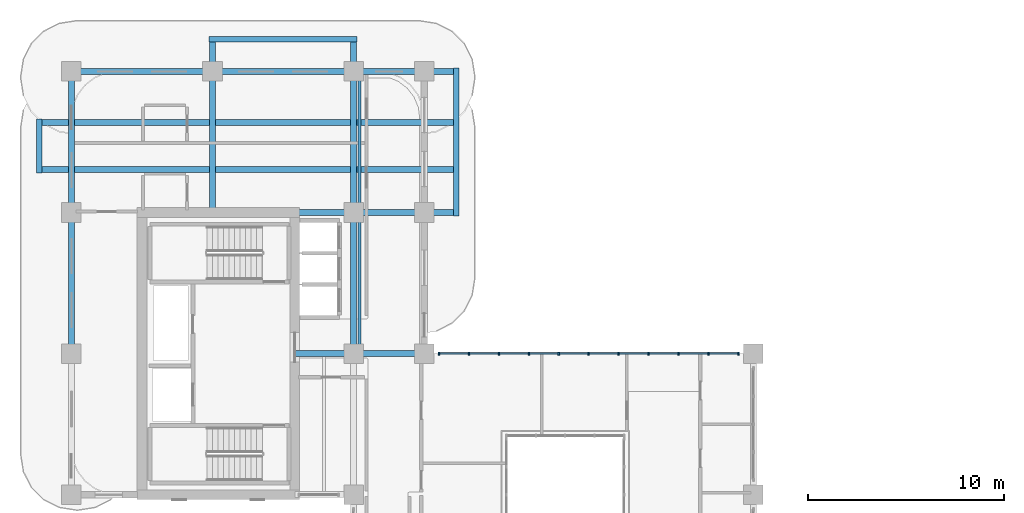
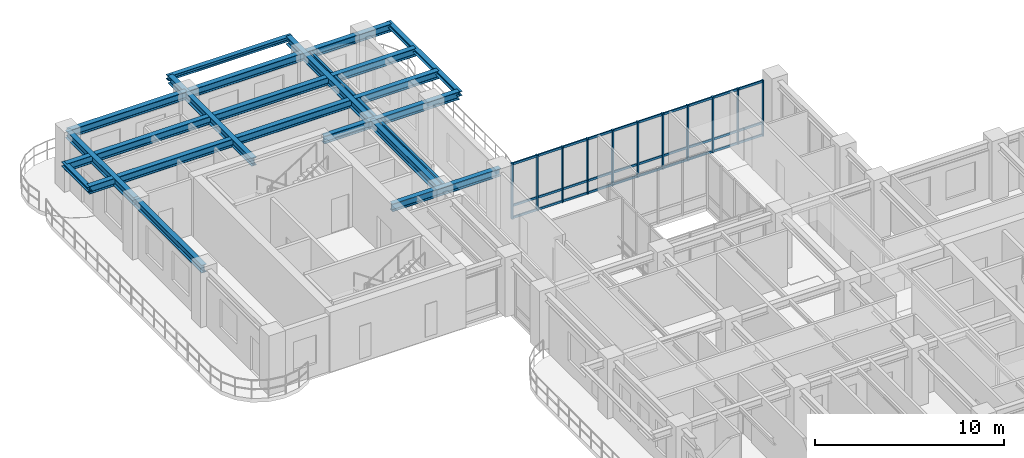
# One storey, part 5 of 20: 41 members, 16 beams, 1 element without a shape of its own.
"""IFC4 building model written with IfcOpenShell, lengths in metres."""

from ifc_helpers import new_model, si_unit, derived_unit, direction, frame, origin, origin_2d, place, context, subcontext, project, spatial, rectangle, i_section, extrude, source, transform, mapped, material, layer, layer_set, material_profile, profile_set, type_object, type_shapes, element, aggregate, save


model = new_model("IFC4")

# Units and contexts
model_context = context("Model", 3, precision=1e-05, world=origin(), true_north=direction((0.0, 1.0)))
body_context = subcontext(model_context, "Body", "Model", "MODEL_VIEW")
ifc_project = project(units=[si_unit("LENGTHUNIT", "METRE"), si_unit("AREAUNIT", "SQUARE_METRE"), si_unit("VOLUMEUNIT", "CUBIC_METRE"), si_unit("PLANEANGLEUNIT", "RADIAN"), si_unit("MASSUNIT", "GRAM", prefix="KILO"), si_unit("THERMODYNAMICTEMPERATUREUNIT", "KELVIN"), si_unit("POWERUNIT", "WATT"), derived_unit("THERMALTRANSMITTANCEUNIT", [(si_unit("POWERUNIT", "WATT"), 1), (si_unit("AREAUNIT", "SQUARE_METRE"), -1), (si_unit("THERMODYNAMICTEMPERATUREUNIT", "KELVIN"), -1)])], contexts=[model_context])

# Site, building, storey
site_placement = place(None, origin())
site = spatial("IfcSite", under=ifc_project, at=site_placement, CompositionType="ELEMENT")
building_placement = place(site_placement, origin())
building = spatial("IfcBuilding", under=site, at=building_placement, Name="Zahravan Archway Hotel and Residences", CompositionType="ELEMENT")
storey_placement = place(building_placement, frame((0.0, 0.0, 177.25)))
storey = spatial("IfcBuildingStorey", under=building, at=storey_placement, Name="L44", CompositionType="ELEMENT", Elevation=177.25)

# Beams
ifc_material_1 = material(Name="Structural Steel S355JR", Category="steel")
ifc_material_profile_1 = material_profile(ifc_material_1, i_section(OverallWidth=0.280029296875, OverallDepth=0.280029296875, WebThickness=0.010498046875, FlangeThickness=0.01806640625, FilletRadius=0.02392578125, at=origin_2d()), Name="HEB 280", Category="steel")
ifc_profile_set_1 = profile_set([ifc_material_profile_1], Name="Structural Steel S355JR")
beam_type_1 = type_object("IfcBeamType", Name="BM-SPN-HEB280", PredefinedType="SPANDREL", material=ifc_profile_set_1)
shared_shape_1 = source(origin(), body_context, "Body", "SweptSolid", [
    extrude(i_section(OverallWidth=0.280029296875, OverallDepth=0.280029296875, WebThickness=0.010498046875, FlangeThickness=0.01806640625, FilletRadius=0.02392578125, at=origin_2d()), origin(), (0.0, 0.0, 1.0), 7.56005859375),
])
type_shapes(beam_type_1, [shared_shape_1])
for number, where, z_axis, x_axis, name in (
    (1, (19.64990234375, 39.419921875, 3.4599609375), (0.0, 1.0, 0.0), (-1.0, 0.0, 0.0), "L45 EB Balcony Edge Spandrel"),
    (2, (7.02001953125, 48.449951171875, 3.4599609375), (1.0, 0.0, 0.0), (0.0, 1.0, 0.0), "L45 NB Balcony Edge Spandrel"),
):
    element("IfcBeam", number, at=place(storey_placement, frame(where, z_axis=z_axis, x_axis=x_axis)), inside=storey, type_object=beam_type_1, Name=name, PredefinedType="SPANDREL", context=body_context, shape_type="MappedRepresentation", body=[
        mapped(shared_shape_1, transform((0.0, 0.0, 0.0), scale=1.0)),
    ])
shared_shape_2 = source(origin(), body_context, "Body", "SweptSolid", [
    extrude(i_section(OverallWidth=0.280029296875, OverallDepth=0.280029296875, WebThickness=0.010498046875, FlangeThickness=0.01806640625, FilletRadius=0.02392578125, at=origin_2d()), origin(), (0.0, 0.0, 1.0), 2.759765625),
])
beam_1_placement = place(storey_placement, frame((-1.64990234375, 41.6201171875, 3.4599609375), z_axis=(0.0, 1.0, 0.0), x_axis=(-1.0, 0.0, 0.0)))
element("IfcBeam", 3, at=beam_1_placement, inside=storey, type_object=beam_type_1, Name="L45 WB Balcony Edge Spandrel", PredefinedType="SPANDREL", context=body_context, shape_type="MappedRepresentation", body=[
    mapped(shared_shape_2, transform((0.0, 0.0, 0.0), scale=1.0)),
])
ifc_material_profile_2 = material_profile(ifc_material_1, i_section(OverallWidth=0.300048828125, OverallDepth=0.5, WebThickness=0.014404296875, FlangeThickness=0.028076171875, FilletRadius=0.027099609375, at=origin_2d()), Name="HEB 500", Category="steel")
ifc_profile_set_2 = profile_set([ifc_material_profile_2], Name="Structural Steel S355JR")
beam_type_2 = type_object("IfcBeamType", Name="BM-PRI-HEB500", PredefinedType="BEAM", material=ifc_profile_set_2)
shared_shape_3 = source(origin(), body_context, "Body", "SweptSolid", [
    extrude(i_section(OverallWidth=0.300048828125, OverallDepth=0.5, WebThickness=0.014404296875, FlangeThickness=0.028076171875, FilletRadius=0.027099609375, at=origin_2d()), origin(), (0.0, 0.0, 1.0), 7.2001953125),
])
type_shapes(beam_type_2, [shared_shape_3])
for number, where, z_axis, x_axis, name in (
    (4, (0.0, 32.39990234375, 3.35009765625), (0.0, 1.0, 0.0), (-1.0, 0.0, 0.0), "L44 Primary Girder NS-24"),
    (5, (14.39990234375, 32.39990234375, 3.35009765625), (0.0, 1.0, 0.0), (-1.0, 0.0, 0.0), "L44 Primary Girder NS-32"),
):
    element("IfcBeam", number, at=place(storey_placement, frame(where, z_axis=z_axis, x_axis=x_axis)), inside=storey, type_object=beam_type_2, Name=name, PredefinedType="BEAM", context=body_context, shape_type="MappedRepresentation", body=[
        mapped(shared_shape_3, transform((0.0, 0.0, 0.0), scale=1.0)),
    ])
shared_shape_4 = source(origin(), body_context, "Body", "SweptSolid", [
    extrude(i_section(OverallWidth=0.300048828125, OverallDepth=0.5, WebThickness=0.014404296875, FlangeThickness=0.028076171875, FilletRadius=0.027099609375, at=origin_2d()), origin(), (0.0, 0.0, 1.0), 7.199951171875),
])
for number, where, z_axis, x_axis, name in (
    (6, (0.0, 46.800048828125, 3.35009765625), (1.0, 0.0, 0.0), (0.0, 1.0, 0.0), "L44 Primary Girder EW-19"),
    (7, (0.0, 39.60009765625, 3.35009765625), (0.0, 1.0, 0.0), (-1.0, 0.0, 0.0), "L44 Primary Girder NS-25"),
):
    element("IfcBeam", number, at=place(storey_placement, frame(where, z_axis=z_axis, x_axis=x_axis)), inside=storey, type_object=beam_type_2, Name=name, PredefinedType="BEAM", context=body_context, shape_type="MappedRepresentation", body=[
        mapped(shared_shape_4, transform((0.0, 0.0, 0.0), scale=1.0)),
    ])
shared_shape_5 = source(origin(), body_context, "Body", "SweptSolid", [
    extrude(i_section(OverallWidth=0.300048828125, OverallDepth=0.5, WebThickness=0.014404296875, FlangeThickness=0.028076171875, FilletRadius=0.027099609375, at=origin_2d()), origin(), (0.0, 0.0, 1.0), 6.60009765625),
])
beam_2_placement = place(storey_placement, frame((11.39990234375, 32.39990234375, 3.35009765625), z_axis=(1.0, 0.0, 0.0), x_axis=(0.0, 1.0, 0.0)))
element("IfcBeam", 8, at=beam_2_placement, inside=storey, type_object=beam_type_2, Name="L44 Primary Girder EW-17", PredefinedType="BEAM", context=body_context, shape_type="MappedRepresentation", body=[
    mapped(shared_shape_5, transform((0.0, 0.0, 0.0), scale=1.0)),
])
shared_shape_6 = source(origin(), body_context, "Body", "SweptSolid", [
    extrude(i_section(OverallWidth=0.300048828125, OverallDepth=0.5, WebThickness=0.014404296875, FlangeThickness=0.028076171875, FilletRadius=0.027099609375, at=origin_2d()), origin(), (0.0, 0.0, 1.0), 8.25),
])
beam_3_placement = place(storey_placement, frame((11.39990234375, 39.60009765625, 3.35009765625), z_axis=(1.0, 0.0, 0.0), x_axis=(0.0, 1.0, 0.0)))
element("IfcBeam", 9, at=beam_3_placement, inside=storey, type_object=beam_type_2, Name="L44 Primary Girder EW-18", PredefinedType="BEAM", context=body_context, shape_type="MappedRepresentation", body=[
    mapped(shared_shape_6, transform((0.0, 0.0, 0.0), scale=1.0)),
])
shared_shape_7 = source(origin(), body_context, "Body", "SweptSolid", [
    extrude(i_section(OverallWidth=0.300048828125, OverallDepth=0.5, WebThickness=0.014404296875, FlangeThickness=0.028076171875, FilletRadius=0.027099609375, at=origin_2d()), origin(), (0.0, 0.0, 1.0), 12.449951171875),
])
beam_4_placement = place(storey_placement, frame((7.199951171875, 46.800048828125, 3.35009765625), z_axis=(1.0, 0.0, 0.0), x_axis=(0.0, 1.0, 0.0)))
element("IfcBeam", 10, at=beam_4_placement, inside=storey, type_object=beam_type_2, Name="L44 Primary Girder EW-20", PredefinedType="BEAM", context=body_context, shape_type="MappedRepresentation", body=[
    mapped(shared_shape_7, transform((0.0, 0.0, 0.0), scale=1.0)),
])
shared_shape_8 = source(origin(), body_context, "Body", "SweptSolid", [
    extrude(i_section(OverallWidth=0.300048828125, OverallDepth=0.5, WebThickness=0.014404296875, FlangeThickness=0.028076171875, FilletRadius=0.027099609375, at=origin_2d()), origin(), (0.0, 0.0, 1.0), 21.2998046875),
])
for number, where, z_axis, x_axis, name in (
    (11, (-1.64990234375, 41.800048828125, 3.35009765625), (1.0, 0.0, 0.0), (0.0, 1.0, 0.0), "L44 Primary Girder EW-21"),
    (12, (-1.64990234375, 44.199951171875, 3.35009765625), (1.0, 0.0, 0.0), (0.0, 1.0, 0.0), "L44 Primary Girder EW-22"),
):
    element("IfcBeam", number, at=place(storey_placement, frame(where, z_axis=z_axis, x_axis=x_axis)), inside=storey, type_object=beam_type_2, Name=name, PredefinedType="BEAM", context=body_context, shape_type="MappedRepresentation", body=[
        mapped(shared_shape_8, transform((0.0, 0.0, 0.0), scale=1.0)),
    ])
shared_shape_9 = source(origin(), body_context, "Body", "SweptSolid", [
    extrude(i_section(OverallWidth=0.300048828125, OverallDepth=0.5, WebThickness=0.014404296875, FlangeThickness=0.028076171875, FilletRadius=0.027099609375, at=origin_2d()), origin(), (0.0, 0.0, 1.0), 8.849853515625),
])
for number, where, z_axis, x_axis, name in (
    (13, (7.199951171875, 39.60009765625, 3.35009765625), (0.0, 1.0, 0.0), (-1.0, 0.0, 0.0), "L44 Primary Girder NS-26"),
    (14, (14.39990234375, 39.60009765625, 3.35009765625), (0.0, 1.0, 0.0), (-1.0, 0.0, 0.0), "L44 Primary Girder NS-33"),
):
    element("IfcBeam", number, at=place(storey_placement, frame(where, z_axis=z_axis, x_axis=x_axis)), inside=storey, type_object=beam_type_2, Name=name, PredefinedType="BEAM", context=body_context, shape_type="MappedRepresentation", body=[
        mapped(shared_shape_9, transform((0.0, 0.0, 0.0), scale=1.0)),
    ])
ifc_material_profile_3 = material_profile(ifc_material_1, i_section(OverallWidth=0.14990234375, OverallDepth=0.300048828125, WebThickness=0.007080078125, FlangeThickness=0.0107421875, FilletRadius=0.014892578125, at=origin_2d()), Name="IPE 300", Category="steel")
ifc_profile_set_3 = profile_set([ifc_material_profile_3], Name="Structural Steel S355JR")
beam_type_3 = type_object("IfcBeamType", Name="BM-JST-IPE300", PredefinedType="JOIST", material=ifc_profile_set_3)
shared_shape_10 = source(origin(), body_context, "Body", "SweptSolid", [
    extrude(i_section(OverallWidth=0.14990234375, OverallDepth=0.300048828125, WebThickness=0.007080078125, FlangeThickness=0.0107421875, FilletRadius=0.014892578125, at=origin_2d()), origin(), (0.0, 0.0, 1.0), 6.904052734375),
])
type_shapes(beam_type_3, [shared_shape_10])
beam_5_placement = place(storey_placement, frame((14.699951171875, 39.748046875, 3.449951171875), z_axis=(0.0, 1.0, 0.0), x_axis=(-1.0, 0.0, 0.0)))
element("IfcBeam", 15, at=beam_5_placement, inside=storey, type_object=beam_type_3, Name="L44 Composite Floor Joist 12", PredefinedType="JOIST", context=body_context, shape_type="MappedRepresentation", body=[
    mapped(shared_shape_10, transform((0.0, 0.0, 0.0), scale=1.0)),
])
shared_shape_11 = source(origin(), body_context, "Body", "SweptSolid", [
    extrude(i_section(OverallWidth=0.14990234375, OverallDepth=0.300048828125, WebThickness=0.007080078125, FlangeThickness=0.0107421875, FilletRadius=0.014892578125, at=origin_2d()), origin(), (0.0, 0.0, 1.0), 6.90380859375),
])
beam_6_placement = place(storey_placement, frame((14.699951171875, 32.548095703125, 3.449951171875), z_axis=(0.0, 1.0, 0.0), x_axis=(-1.0, 0.0, 0.0)))
element("IfcBeam", 16, at=beam_6_placement, inside=storey, type_object=beam_type_3, Name="L44 Composite Floor Joist 11", PredefinedType="JOIST", context=body_context, shape_type="MappedRepresentation", body=[
    mapped(shared_shape_11, transform((0.0, 0.0, 0.0), scale=1.0)),
])

# Curtain wall, members
ifc_material_2 = material(Name="Bronze-Anodized Unitised Aluminium & Low-E Glass", Category="aluminium")
ifc_layer = layer(ifc_material_2, 0.179931640625, Name="Bronze-Anodized Unitised Aluminium & Low-E Glass", Category="aluminium")
ifc_layer_set = layer_set([ifc_layer], Name="Bronze-Anodized Unitised Aluminium & Low-E Glass")
curtain_wall_type = type_object("IfcCurtainWallType", Name="CW-ATR-GLAZ", PredefinedType="NOTDEFINED", material=ifc_layer_set)
curtain_wall_placement = place(storey_placement, origin())
curtain_wall = element("IfcCurtainWall", 17, at=curtain_wall_placement, inside=storey, type_object=curtain_wall_type, Name="L44 Curtain Wall CW-L44-HNG-N-1", PredefinedType="NOTDEFINED")
ifc_material_3 = material(Name="Bronze-Anodized Extruded Aluminium", Category="aluminium")
ifc_material_profile_4 = material_profile(ifc_material_3, rectangle(XDim=0.080078125, YDim=0.139892578125, at=origin_2d()), Name="TRN 80x140", Category="aluminium")
ifc_profile_set_4 = profile_set([ifc_material_profile_4], Name="Bronze-Anodized Extruded Aluminium")
member_type_1 = type_object("IfcMemberType", Name="CWM-TRN-140", PredefinedType="USERDEFINED", material=ifc_profile_set_4)
shared_shape_12 = source(origin(), body_context, "Body", "SweptSolid", [
    extrude(rectangle(XDim=0.080078125, YDim=0.139892578125, at=origin_2d()), origin(), (0.0, 0.0, 1.0), 1.447998046875),
])
member_1_placement = place(storey_placement, frame((18.800048828125, 32.39990234375, 0.070068359375), z_axis=(1.0, 0.0, 0.0), x_axis=(0.0, 1.0, 0.0)))
member_1 = element("IfcMember", 18, at=member_1_placement, type_object=member_type_1, Name="CW-L44-HNG-N-1 Transom 0-1", ObjectType="TRANSOM", PredefinedType="USERDEFINED", context=body_context, shape_type="MappedRepresentation", body=[
    mapped(shared_shape_12, transform((0.0, 0.0, 0.0), scale=1.0)),
])
member_2_placement = place(storey_placement, frame((18.800048828125, 32.39990234375, 0.85009765625), z_axis=(1.0, 0.0, 0.0), x_axis=(0.0, 1.0, 0.0)))
member_2 = element("IfcMember", 19, at=member_2_placement, type_object=member_type_1, Name="CW-L44-HNG-N-1 Transom 0-2", ObjectType="TRANSOM", PredefinedType="USERDEFINED", context=body_context, shape_type="MappedRepresentation", body=[
    mapped(shared_shape_12, transform((0.0, 0.0, 0.0), scale=1.0)),
])
member_3_placement = place(storey_placement, frame((18.800048828125, 32.39990234375, 3.530029296875), z_axis=(1.0, 0.0, 0.0), x_axis=(0.0, 1.0, 0.0)))
member_3 = element("IfcMember", 20, at=member_3_placement, type_object=member_type_1, Name="CW-L44-HNG-N-1 Transom 0-3", ObjectType="TRANSOM", PredefinedType="USERDEFINED", context=body_context, shape_type="MappedRepresentation", body=[
    mapped(shared_shape_12, transform((0.0, 0.0, 0.0), scale=1.0)),
])
member_4_placement = place(storey_placement, frame((20.327880859375, 32.39990234375, 0.070068359375), z_axis=(1.0, 0.0, 0.0), x_axis=(0.0, 1.0, 0.0)))
member_4 = element("IfcMember", 21, at=member_4_placement, type_object=member_type_1, Name="CW-L44-HNG-N-1 Transom 1-1", ObjectType="TRANSOM", PredefinedType="USERDEFINED", context=body_context, shape_type="MappedRepresentation", body=[
    mapped(shared_shape_12, transform((0.0, 0.0, 0.0), scale=1.0)),
])
member_5_placement = place(storey_placement, frame((20.327880859375, 32.39990234375, 0.85009765625), z_axis=(1.0, 0.0, 0.0), x_axis=(0.0, 1.0, 0.0)))
member_5 = element("IfcMember", 22, at=member_5_placement, type_object=member_type_1, Name="CW-L44-HNG-N-1 Transom 1-2", ObjectType="TRANSOM", PredefinedType="USERDEFINED", context=body_context, shape_type="MappedRepresentation", body=[
    mapped(shared_shape_12, transform((0.0, 0.0, 0.0), scale=1.0)),
])
member_6_placement = place(storey_placement, frame((20.327880859375, 32.39990234375, 3.530029296875), z_axis=(1.0, 0.0, 0.0), x_axis=(0.0, 1.0, 0.0)))
member_6 = element("IfcMember", 23, at=member_6_placement, type_object=member_type_1, Name="CW-L44-HNG-N-1 Transom 1-3", ObjectType="TRANSOM", PredefinedType="USERDEFINED", context=body_context, shape_type="MappedRepresentation", body=[
    mapped(shared_shape_12, transform((0.0, 0.0, 0.0), scale=1.0)),
])
member_7_placement = place(storey_placement, frame((21.85595703125, 32.39990234375, 0.070068359375), z_axis=(1.0, 0.0, 0.0), x_axis=(0.0, 1.0, 0.0)))
member_7 = element("IfcMember", 24, at=member_7_placement, type_object=member_type_1, Name="CW-L44-HNG-N-1 Transom 2-1", ObjectType="TRANSOM", PredefinedType="USERDEFINED", context=body_context, shape_type="MappedRepresentation", body=[
    mapped(shared_shape_12, transform((0.0, 0.0, 0.0), scale=1.0)),
])
member_8_placement = place(storey_placement, frame((21.85595703125, 32.39990234375, 0.85009765625), z_axis=(1.0, 0.0, 0.0), x_axis=(0.0, 1.0, 0.0)))
member_8 = element("IfcMember", 25, at=member_8_placement, type_object=member_type_1, Name="CW-L44-HNG-N-1 Transom 2-2", ObjectType="TRANSOM", PredefinedType="USERDEFINED", context=body_context, shape_type="MappedRepresentation", body=[
    mapped(shared_shape_12, transform((0.0, 0.0, 0.0), scale=1.0)),
])
member_9_placement = place(storey_placement, frame((21.85595703125, 32.39990234375, 3.530029296875), z_axis=(1.0, 0.0, 0.0), x_axis=(0.0, 1.0, 0.0)))
member_9 = element("IfcMember", 26, at=member_9_placement, type_object=member_type_1, Name="CW-L44-HNG-N-1 Transom 2-3", ObjectType="TRANSOM", PredefinedType="USERDEFINED", context=body_context, shape_type="MappedRepresentation", body=[
    mapped(shared_shape_12, transform((0.0, 0.0, 0.0), scale=1.0)),
])
member_10_placement = place(storey_placement, frame((23.384033203125, 32.39990234375, 0.070068359375), z_axis=(1.0, 0.0, 0.0), x_axis=(0.0, 1.0, 0.0)))
member_10 = element("IfcMember", 27, at=member_10_placement, type_object=member_type_1, Name="CW-L44-HNG-N-1 Transom 3-1", ObjectType="TRANSOM", PredefinedType="USERDEFINED", context=body_context, shape_type="MappedRepresentation", body=[
    mapped(shared_shape_12, transform((0.0, 0.0, 0.0), scale=1.0)),
])
member_11_placement = place(storey_placement, frame((23.384033203125, 32.39990234375, 0.85009765625), z_axis=(1.0, 0.0, 0.0), x_axis=(0.0, 1.0, 0.0)))
member_11 = element("IfcMember", 28, at=member_11_placement, type_object=member_type_1, Name="CW-L44-HNG-N-1 Transom 3-2", ObjectType="TRANSOM", PredefinedType="USERDEFINED", context=body_context, shape_type="MappedRepresentation", body=[
    mapped(shared_shape_12, transform((0.0, 0.0, 0.0), scale=1.0)),
])
member_12_placement = place(storey_placement, frame((23.384033203125, 32.39990234375, 3.530029296875), z_axis=(1.0, 0.0, 0.0), x_axis=(0.0, 1.0, 0.0)))
member_12 = element("IfcMember", 29, at=member_12_placement, type_object=member_type_1, Name="CW-L44-HNG-N-1 Transom 3-3", ObjectType="TRANSOM", PredefinedType="USERDEFINED", context=body_context, shape_type="MappedRepresentation", body=[
    mapped(shared_shape_12, transform((0.0, 0.0, 0.0), scale=1.0)),
])
member_13_placement = place(storey_placement, frame((24.912109375, 32.39990234375, 0.070068359375), z_axis=(1.0, 0.0, 0.0), x_axis=(0.0, 1.0, 0.0)))
member_13 = element("IfcMember", 30, at=member_13_placement, type_object=member_type_1, Name="CW-L44-HNG-N-1 Transom 4-1", ObjectType="TRANSOM", PredefinedType="USERDEFINED", context=body_context, shape_type="MappedRepresentation", body=[
    mapped(shared_shape_12, transform((0.0, 0.0, 0.0), scale=1.0)),
])
member_14_placement = place(storey_placement, frame((24.912109375, 32.39990234375, 0.85009765625), z_axis=(1.0, 0.0, 0.0), x_axis=(0.0, 1.0, 0.0)))
member_14 = element("IfcMember", 31, at=member_14_placement, type_object=member_type_1, Name="CW-L44-HNG-N-1 Transom 4-2", ObjectType="TRANSOM", PredefinedType="USERDEFINED", context=body_context, shape_type="MappedRepresentation", body=[
    mapped(shared_shape_12, transform((0.0, 0.0, 0.0), scale=1.0)),
])
member_15_placement = place(storey_placement, frame((24.912109375, 32.39990234375, 3.530029296875), z_axis=(1.0, 0.0, 0.0), x_axis=(0.0, 1.0, 0.0)))
member_15 = element("IfcMember", 32, at=member_15_placement, type_object=member_type_1, Name="CW-L44-HNG-N-1 Transom 4-3", ObjectType="TRANSOM", PredefinedType="USERDEFINED", context=body_context, shape_type="MappedRepresentation", body=[
    mapped(shared_shape_12, transform((0.0, 0.0, 0.0), scale=1.0)),
])
member_16_placement = place(storey_placement, frame((26.43994140625, 32.39990234375, 0.070068359375), z_axis=(1.0, 0.0, 0.0), x_axis=(0.0, 1.0, 0.0)))
member_16 = element("IfcMember", 33, at=member_16_placement, type_object=member_type_1, Name="CW-L44-HNG-N-1 Transom 5-1", ObjectType="TRANSOM", PredefinedType="USERDEFINED", context=body_context, shape_type="MappedRepresentation", body=[
    mapped(shared_shape_12, transform((0.0, 0.0, 0.0), scale=1.0)),
])
member_17_placement = place(storey_placement, frame((26.43994140625, 32.39990234375, 0.85009765625), z_axis=(1.0, 0.0, 0.0), x_axis=(0.0, 1.0, 0.0)))
member_17 = element("IfcMember", 34, at=member_17_placement, type_object=member_type_1, Name="CW-L44-HNG-N-1 Transom 5-2", ObjectType="TRANSOM", PredefinedType="USERDEFINED", context=body_context, shape_type="MappedRepresentation", body=[
    mapped(shared_shape_12, transform((0.0, 0.0, 0.0), scale=1.0)),
])
member_18_placement = place(storey_placement, frame((26.43994140625, 32.39990234375, 3.530029296875), z_axis=(1.0, 0.0, 0.0), x_axis=(0.0, 1.0, 0.0)))
member_18 = element("IfcMember", 35, at=member_18_placement, type_object=member_type_1, Name="CW-L44-HNG-N-1 Transom 5-3", ObjectType="TRANSOM", PredefinedType="USERDEFINED", context=body_context, shape_type="MappedRepresentation", body=[
    mapped(shared_shape_12, transform((0.0, 0.0, 0.0), scale=1.0)),
])
member_19_placement = place(storey_placement, frame((27.968017578125, 32.39990234375, 0.070068359375), z_axis=(1.0, 0.0, 0.0), x_axis=(0.0, 1.0, 0.0)))
member_19 = element("IfcMember", 36, at=member_19_placement, type_object=member_type_1, Name="CW-L44-HNG-N-1 Transom 6-1", ObjectType="TRANSOM", PredefinedType="USERDEFINED", context=body_context, shape_type="MappedRepresentation", body=[
    mapped(shared_shape_12, transform((0.0, 0.0, 0.0), scale=1.0)),
])
member_20_placement = place(storey_placement, frame((27.968017578125, 32.39990234375, 0.85009765625), z_axis=(1.0, 0.0, 0.0), x_axis=(0.0, 1.0, 0.0)))
member_20 = element("IfcMember", 37, at=member_20_placement, type_object=member_type_1, Name="CW-L44-HNG-N-1 Transom 6-2", ObjectType="TRANSOM", PredefinedType="USERDEFINED", context=body_context, shape_type="MappedRepresentation", body=[
    mapped(shared_shape_12, transform((0.0, 0.0, 0.0), scale=1.0)),
])
member_21_placement = place(storey_placement, frame((27.968017578125, 32.39990234375, 3.530029296875), z_axis=(1.0, 0.0, 0.0), x_axis=(0.0, 1.0, 0.0)))
member_21 = element("IfcMember", 38, at=member_21_placement, type_object=member_type_1, Name="CW-L44-HNG-N-1 Transom 6-3", ObjectType="TRANSOM", PredefinedType="USERDEFINED", context=body_context, shape_type="MappedRepresentation", body=[
    mapped(shared_shape_12, transform((0.0, 0.0, 0.0), scale=1.0)),
])
member_22_placement = place(storey_placement, frame((29.49609375, 32.39990234375, 0.070068359375), z_axis=(1.0, 0.0, 0.0), x_axis=(0.0, 1.0, 0.0)))
member_22 = element("IfcMember", 39, at=member_22_placement, type_object=member_type_1, Name="CW-L44-HNG-N-1 Transom 7-1", ObjectType="TRANSOM", PredefinedType="USERDEFINED", context=body_context, shape_type="MappedRepresentation", body=[
    mapped(shared_shape_12, transform((0.0, 0.0, 0.0), scale=1.0)),
])
member_23_placement = place(storey_placement, frame((29.49609375, 32.39990234375, 0.85009765625), z_axis=(1.0, 0.0, 0.0), x_axis=(0.0, 1.0, 0.0)))
member_23 = element("IfcMember", 40, at=member_23_placement, type_object=member_type_1, Name="CW-L44-HNG-N-1 Transom 7-2", ObjectType="TRANSOM", PredefinedType="USERDEFINED", context=body_context, shape_type="MappedRepresentation", body=[
    mapped(shared_shape_12, transform((0.0, 0.0, 0.0), scale=1.0)),
])
member_24_placement = place(storey_placement, frame((29.49609375, 32.39990234375, 3.530029296875), z_axis=(1.0, 0.0, 0.0), x_axis=(0.0, 1.0, 0.0)))
member_24 = element("IfcMember", 41, at=member_24_placement, type_object=member_type_1, Name="CW-L44-HNG-N-1 Transom 7-3", ObjectType="TRANSOM", PredefinedType="USERDEFINED", context=body_context, shape_type="MappedRepresentation", body=[
    mapped(shared_shape_12, transform((0.0, 0.0, 0.0), scale=1.0)),
])
member_25_placement = place(storey_placement, frame((31.02392578125, 32.39990234375, 0.070068359375), z_axis=(1.0, 0.0, 0.0), x_axis=(0.0, 1.0, 0.0)))
member_25 = element("IfcMember", 42, at=member_25_placement, type_object=member_type_1, Name="CW-L44-HNG-N-1 Transom 8-1", ObjectType="TRANSOM", PredefinedType="USERDEFINED", context=body_context, shape_type="MappedRepresentation", body=[
    mapped(shared_shape_12, transform((0.0, 0.0, 0.0), scale=1.0)),
])
member_26_placement = place(storey_placement, frame((31.02392578125, 32.39990234375, 0.85009765625), z_axis=(1.0, 0.0, 0.0), x_axis=(0.0, 1.0, 0.0)))
member_26 = element("IfcMember", 43, at=member_26_placement, type_object=member_type_1, Name="CW-L44-HNG-N-1 Transom 8-2", ObjectType="TRANSOM", PredefinedType="USERDEFINED", context=body_context, shape_type="MappedRepresentation", body=[
    mapped(shared_shape_12, transform((0.0, 0.0, 0.0), scale=1.0)),
])
member_27_placement = place(storey_placement, frame((31.02392578125, 32.39990234375, 3.530029296875), z_axis=(1.0, 0.0, 0.0), x_axis=(0.0, 1.0, 0.0)))
member_27 = element("IfcMember", 44, at=member_27_placement, type_object=member_type_1, Name="CW-L44-HNG-N-1 Transom 8-3", ObjectType="TRANSOM", PredefinedType="USERDEFINED", context=body_context, shape_type="MappedRepresentation", body=[
    mapped(shared_shape_12, transform((0.0, 0.0, 0.0), scale=1.0)),
])
member_28_placement = place(storey_placement, frame((32.552001953125, 32.39990234375, 0.070068359375), z_axis=(1.0, 0.0, 0.0), x_axis=(0.0, 1.0, 0.0)))
member_28 = element("IfcMember", 45, at=member_28_placement, type_object=member_type_1, Name="CW-L44-HNG-N-1 Transom 9-1", ObjectType="TRANSOM", PredefinedType="USERDEFINED", context=body_context, shape_type="MappedRepresentation", body=[
    mapped(shared_shape_12, transform((0.0, 0.0, 0.0), scale=1.0)),
])
member_29_placement = place(storey_placement, frame((32.552001953125, 32.39990234375, 0.85009765625), z_axis=(1.0, 0.0, 0.0), x_axis=(0.0, 1.0, 0.0)))
member_29 = element("IfcMember", 46, at=member_29_placement, type_object=member_type_1, Name="CW-L44-HNG-N-1 Transom 9-2", ObjectType="TRANSOM", PredefinedType="USERDEFINED", context=body_context, shape_type="MappedRepresentation", body=[
    mapped(shared_shape_12, transform((0.0, 0.0, 0.0), scale=1.0)),
])
member_30_placement = place(storey_placement, frame((32.552001953125, 32.39990234375, 3.530029296875), z_axis=(1.0, 0.0, 0.0), x_axis=(0.0, 1.0, 0.0)))
member_30 = element("IfcMember", 47, at=member_30_placement, type_object=member_type_1, Name="CW-L44-HNG-N-1 Transom 9-3", ObjectType="TRANSOM", PredefinedType="USERDEFINED", context=body_context, shape_type="MappedRepresentation", body=[
    mapped(shared_shape_12, transform((0.0, 0.0, 0.0), scale=1.0)),
])
ifc_material_profile_5 = material_profile(ifc_material_3, rectangle(XDim=0.080078125, YDim=0.159912109375, at=origin_2d()), Name="MUL 80x160", Category="aluminium")
ifc_profile_set_5 = profile_set([ifc_material_profile_5], Name="Bronze-Anodized Extruded Aluminium")
member_type_2 = type_object("IfcMemberType", Name="CWM-MUL-160", PredefinedType="MULLION", material=ifc_profile_set_5)
shared_shape_13 = source(origin(), body_context, "Body", "SweptSolid", [
    extrude(rectangle(XDim=0.080078125, YDim=0.159912109375, at=origin_2d()), origin(), (0.0, 0.0, 1.0), 3.60009765625),
])
member_31_placement = place(storey_placement, frame((18.760009765625, 32.39990234375, 0.0), z_axis=(0.0, 0.0, 1.0), x_axis=(1.0, 0.0, 0.0)))
member_31 = element("IfcMember", 48, at=member_31_placement, type_object=member_type_2, Name="CW-L44-HNG-N-1 Mullion 0", PredefinedType="MULLION", context=body_context, shape_type="MappedRepresentation", body=[
    mapped(shared_shape_13, transform((0.0, 0.0, 0.0), scale=1.0)),
])
member_32_placement = place(storey_placement, frame((20.2880859375, 32.39990234375, 0.0), z_axis=(0.0, 0.0, 1.0), x_axis=(1.0, 0.0, 0.0)))
member_32 = element("IfcMember", 49, at=member_32_placement, type_object=member_type_2, Name="CW-L44-HNG-N-1 Mullion 1", PredefinedType="MULLION", context=body_context, shape_type="MappedRepresentation", body=[
    mapped(shared_shape_13, transform((0.0, 0.0, 0.0), scale=1.0)),
])
member_33_placement = place(storey_placement, frame((21.81591796875, 32.39990234375, 0.0), z_axis=(0.0, 0.0, 1.0), x_axis=(1.0, 0.0, 0.0)))
member_33 = element("IfcMember", 50, at=member_33_placement, type_object=member_type_2, Name="CW-L44-HNG-N-1 Mullion 2", PredefinedType="MULLION", context=body_context, shape_type="MappedRepresentation", body=[
    mapped(shared_shape_13, transform((0.0, 0.0, 0.0), scale=1.0)),
])
member_34_placement = place(storey_placement, frame((23.343994140625, 32.39990234375, 0.0), z_axis=(0.0, 0.0, 1.0), x_axis=(1.0, 0.0, 0.0)))
member_34 = element("IfcMember", 51, at=member_34_placement, type_object=member_type_2, Name="CW-L44-HNG-N-1 Mullion 3", PredefinedType="MULLION", context=body_context, shape_type="MappedRepresentation", body=[
    mapped(shared_shape_13, transform((0.0, 0.0, 0.0), scale=1.0)),
])
member_35_placement = place(storey_placement, frame((24.8720703125, 32.39990234375, 0.0), z_axis=(0.0, 0.0, 1.0), x_axis=(1.0, 0.0, 0.0)))
member_35 = element("IfcMember", 52, at=member_35_placement, type_object=member_type_2, Name="CW-L44-HNG-N-1 Mullion 4", PredefinedType="MULLION", context=body_context, shape_type="MappedRepresentation", body=[
    mapped(shared_shape_13, transform((0.0, 0.0, 0.0), scale=1.0)),
])
member_36_placement = place(storey_placement, frame((26.39990234375, 32.39990234375, 0.0), z_axis=(0.0, 0.0, 1.0), x_axis=(1.0, 0.0, 0.0)))
member_36 = element("IfcMember", 53, at=member_36_placement, type_object=member_type_2, Name="CW-L44-HNG-N-1 Mullion 5", PredefinedType="MULLION", context=body_context, shape_type="MappedRepresentation", body=[
    mapped(shared_shape_13, transform((0.0, 0.0, 0.0), scale=1.0)),
])
member_37_placement = place(storey_placement, frame((27.927978515625, 32.39990234375, 0.0), z_axis=(0.0, 0.0, 1.0), x_axis=(1.0, 0.0, 0.0)))
member_37 = element("IfcMember", 54, at=member_37_placement, type_object=member_type_2, Name="CW-L44-HNG-N-1 Mullion 6", PredefinedType="MULLION", context=body_context, shape_type="MappedRepresentation", body=[
    mapped(shared_shape_13, transform((0.0, 0.0, 0.0), scale=1.0)),
])
member_38_placement = place(storey_placement, frame((29.4560546875, 32.39990234375, 0.0), z_axis=(0.0, 0.0, 1.0), x_axis=(1.0, 0.0, 0.0)))
member_38 = element("IfcMember", 55, at=member_38_placement, type_object=member_type_2, Name="CW-L44-HNG-N-1 Mullion 7", PredefinedType="MULLION", context=body_context, shape_type="MappedRepresentation", body=[
    mapped(shared_shape_13, transform((0.0, 0.0, 0.0), scale=1.0)),
])
member_39_placement = place(storey_placement, frame((30.98388671875, 32.39990234375, 0.0), z_axis=(0.0, 0.0, 1.0), x_axis=(1.0, 0.0, 0.0)))
member_39 = element("IfcMember", 56, at=member_39_placement, type_object=member_type_2, Name="CW-L44-HNG-N-1 Mullion 8", PredefinedType="MULLION", context=body_context, shape_type="MappedRepresentation", body=[
    mapped(shared_shape_13, transform((0.0, 0.0, 0.0), scale=1.0)),
])
member_40_placement = place(storey_placement, frame((32.511962890625, 32.39990234375, 0.0), z_axis=(0.0, 0.0, 1.0), x_axis=(1.0, 0.0, 0.0)))
member_40 = element("IfcMember", 57, at=member_40_placement, type_object=member_type_2, Name="CW-L44-HNG-N-1 Mullion 9", PredefinedType="MULLION", context=body_context, shape_type="MappedRepresentation", body=[
    mapped(shared_shape_13, transform((0.0, 0.0, 0.0), scale=1.0)),
])
member_41_placement = place(storey_placement, frame((34.0400390625, 32.39990234375, 0.0), z_axis=(0.0, 0.0, 1.0), x_axis=(1.0, 0.0, 0.0)))
member_41 = element("IfcMember", 58, at=member_41_placement, type_object=member_type_2, Name="CW-L44-HNG-N-1 Mullion 10", PredefinedType="MULLION", context=body_context, shape_type="MappedRepresentation", body=[
    mapped(shared_shape_13, transform((0.0, 0.0, 0.0), scale=1.0)),
])
aggregate(curtain_wall, [member_31, member_32, member_33, member_34, member_35, member_36, member_37, member_38, member_39, member_40, member_41, member_1, member_2, member_3, member_4, member_5, member_6, member_7, member_8, member_9, member_10, member_11, member_12, member_13, member_14, member_15, member_16, member_17, member_18, member_19, member_20, member_21, member_22, member_23, member_24, member_25, member_26, member_27, member_28, member_29, member_30])

save(model, "model.ifc")
